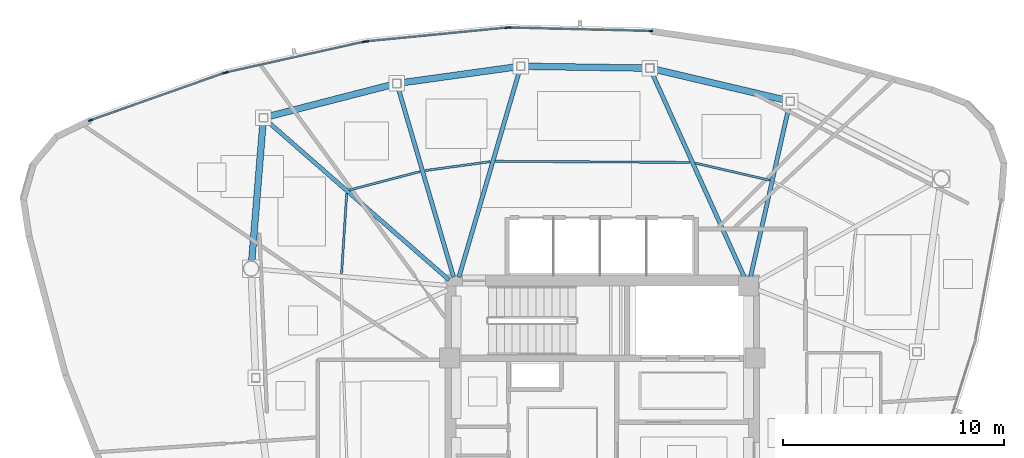
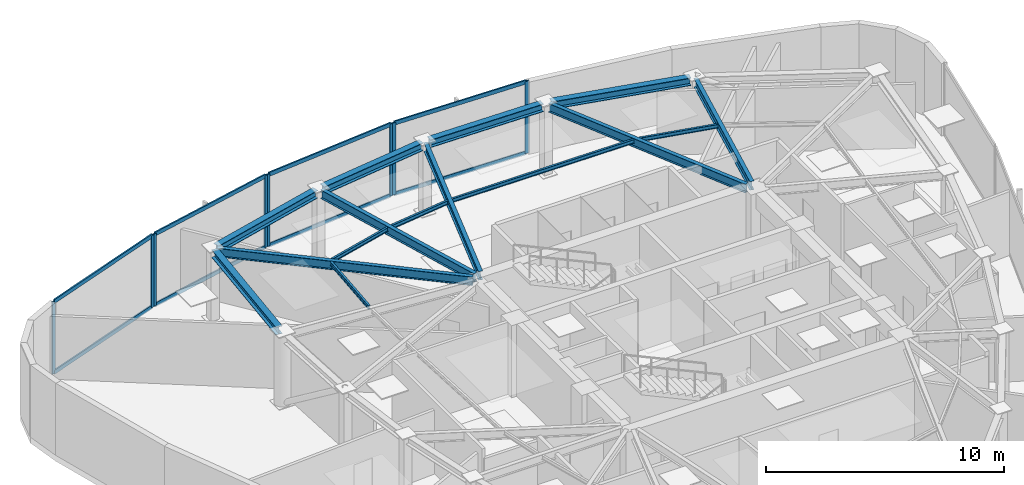
# One storey, part 5 of 13: 16 members, 15 beams, 4 elements without a shape of their own.
"""IFC4 building model written with IfcOpenShell, lengths in metres."""

from ifc_helpers import new_model, si_unit, direction, frame, origin, origin_2d, place, context, subcontext, project, spatial, hollow_rectangle, i_section, extrude, source, transform, mapped, material, layer, layer_set, material_profile, profile_set, type_object, type_shapes, element, aggregate, save


model = new_model("IFC4")

# Units and contexts
model_context = context("Model", 3, precision=1e-05, world=origin(), true_north=direction((0.0, 1.0)))
body_context = subcontext(model_context, "Body", "Model", "MODEL_VIEW")
ifc_project = project(units=[si_unit("LENGTHUNIT", "METRE"), si_unit("AREAUNIT", "SQUARE_METRE"), si_unit("VOLUMEUNIT", "CUBIC_METRE"), si_unit("PLANEANGLEUNIT", "RADIAN"), si_unit("MASSUNIT", "GRAM", prefix="KILO")], contexts=[model_context])

# Site, building, storey
site_placement = place(None, origin())
site = spatial("IfcSite", under=ifc_project, at=site_placement, CompositionType="ELEMENT")
building_placement = place(site_placement, origin())
building = spatial("IfcBuilding", under=site, at=building_placement, Name="Tavelor Broadcast Tower", CompositionType="ELEMENT")
storey_placement = place(building_placement, frame((0.0, 0.0, 305.5)))
storey = spatial("IfcBuildingStorey", under=building, at=storey_placement, Name="L73", CompositionType="ELEMENT", Elevation=305.5)

# Beams
ifc_material_1 = material(Name="Steel S355", Category="steel")
ifc_material_profile_1 = material_profile(ifc_material_1, i_section(OverallWidth=0.10009765625, OverallDepth=0.199951171875, WebThickness=0.005615234375, FlangeThickness=0.008544921875, at=origin_2d()), Name="IPE 200")
ifc_profile_set_1 = profile_set([ifc_material_profile_1], Name="Steel S355")
beam_type_1 = type_object("IfcBeamType", Name="Composite Floor Joist T8 IPE 200", PredefinedType="JOIST", material=ifc_profile_set_1)
beam_1_placement = place(storey_placement, frame((57.553466796875, 55.98828125, 3.60009765625), z_axis=(-0.974380456478, 0.224906038232, 0.0), x_axis=(-0.224906038232, -0.974380456478, 0.0)))
element("IfcBeam", 1, at=beam_1_placement, inside=storey, type_object=beam_type_1, Name="L73 Secondary Composite Floor Joist 14", PredefinedType="JOIST", context=body_context, shape_type="SweptSolid", body=[
    extrude(i_section(OverallWidth=0.10009765625, OverallDepth=0.199951171875, WebThickness=0.005615234375, FlangeThickness=0.008544921875, at=origin_2d()), origin(), (0.0, 0.0, 1.0), 3.44873046875),
])
beam_2_placement = place(storey_placement, frame((53.948486328125, 56.79248046875, 3.60009765625), z_axis=(-0.999983070215, 0.005818873004, 0.0), x_axis=(-0.005818873004, -0.999983070215, 0.0)))
element("IfcBeam", 2, at=beam_2_placement, inside=storey, type_object=beam_type_1, Name="L73 Secondary Composite Floor Joist 15", PredefinedType="JOIST", context=body_context, shape_type="SweptSolid", body=[
    extrude(i_section(OverallWidth=0.10009765625, OverallDepth=0.199951171875, WebThickness=0.005615234375, FlangeThickness=0.008544921875, at=origin_2d()), origin(), (0.0, 0.0, 1.0), 8.76904296875),
])
beam_3_placement = place(storey_placement, frame((44.933349609375, 56.827392578125, 3.60009765625), z_axis=(-0.990783480594, -0.135455138636, 0.0), x_axis=(0.135455138636, -0.990783480594, 0.0)))
element("IfcBeam", 3, at=beam_3_placement, inside=storey, type_object=beam_type_1, Name="L73 Secondary Composite Floor Joist 16", PredefinedType="JOIST", context=body_context, shape_type="SweptSolid", body=[
    extrude(i_section(OverallWidth=0.10009765625, OverallDepth=0.199951171875, WebThickness=0.005615234375, FlangeThickness=0.008544921875, at=origin_2d()), origin(), (0.0, 0.0, 1.0), 2.963134765625),
])
beam_4_placement = place(storey_placement, frame((41.755126953125, 56.3779296875, 3.60009765625), z_axis=(-0.967401296423, -0.253248359677, 0.0), x_axis=(0.253248359677, -0.967401296423, 0.0)))
element("IfcBeam", 4, at=beam_4_placement, inside=storey, type_object=beam_type_1, Name="L73 Secondary Composite Floor Joist 17", PredefinedType="JOIST", context=body_context, shape_type="SweptSolid", body=[
    extrude(i_section(OverallWidth=0.10009765625, OverallDepth=0.199951171875, WebThickness=0.005615234375, FlangeThickness=0.008544921875, at=origin_2d()), origin(), (0.0, 0.0, 1.0), 3.282470703125),
])
beam_5_placement = place(storey_placement, frame((38.451904296875, 55.391845703125, 3.60009765625), z_axis=(-0.063760012588, -0.997965260315, 0.0), x_axis=(0.997965260315, -0.063760012588, 0.0)))
element("IfcBeam", 5, at=beam_5_placement, inside=storey, type_object=beam_type_1, Name="L73 Secondary Composite Floor Joist 18", PredefinedType="JOIST", context=body_context, shape_type="SweptSolid", body=[
    extrude(i_section(OverallWidth=0.10009765625, OverallDepth=0.199951171875, WebThickness=0.005615234375, FlangeThickness=0.008544921875, at=origin_2d()), origin(), (0.0, 0.0, 1.0), 3.6298828125),
])
ifc_material_profile_2 = material_profile(ifc_material_1, i_section(OverallWidth=0.300048828125, OverallDepth=0.39990234375, WebThickness=0.013427734375, FlangeThickness=0.02392578125, at=origin_2d()), Name="HEB 400")
ifc_profile_set_2 = profile_set([ifc_material_profile_2], Name="Steel S355")
beam_type_2 = type_object("IfcBeamType", Name="Perimeter Spandrel Beam T8 HEB 400", PredefinedType="SPANDREL", material=ifc_profile_set_2)
beam_6_placement = place(storey_placement, frame((58.298583984375, 59.601318359375, 3.5), z_axis=(-0.973341352965, 0.229361310181, 0.0), x_axis=(-0.229361310181, -0.973341352965, 0.0)))
element("IfcBeam", 6, at=beam_6_placement, inside=storey, type_object=beam_type_2, Name="L73 Framed-Tube Ring Spandrel 14", PredefinedType="SPANDREL", context=body_context, shape_type="SweptSolid", body=[
    extrude(i_section(OverallWidth=0.300048828125, OverallDepth=0.39990234375, WebThickness=0.013427734375, FlangeThickness=0.02392578125, at=origin_2d()), origin(), (0.0, 0.0, 1.0), 6.1279296875),
])
beam_7_placement = place(storey_placement, frame((51.955078125, 61.0537109375, 3.5), z_axis=(-0.999889988423, 0.014832769514, 0.0), x_axis=(-0.014832769514, -0.999889988423, 0.0)))
element("IfcBeam", 7, at=beam_7_placement, inside=storey, type_object=beam_type_2, Name="L73 Framed-Tube Ring Spandrel 15", PredefinedType="SPANDREL", context=body_context, shape_type="SweptSolid", body=[
    extrude(i_section(OverallWidth=0.300048828125, OverallDepth=0.39990234375, WebThickness=0.013427734375, FlangeThickness=0.02392578125, at=origin_2d()), origin(), (0.0, 0.0, 1.0), 5.447998046875),
])
beam_8_placement = place(storey_placement, frame((46.125244140625, 61.11083984375, 3.5), z_axis=(-0.990516995132, -0.137390255677, 0.0), x_axis=(0.137390255677, -0.990516995132, 0.0)))
element("IfcBeam", 8, at=beam_8_placement, inside=storey, type_object=beam_type_2, Name="L73 Framed-Tube Ring Spandrel 16", PredefinedType="SPANDREL", context=body_context, shape_type="SweptSolid", body=[
    extrude(i_section(OverallWidth=0.300048828125, OverallDepth=0.39990234375, WebThickness=0.013427734375, FlangeThickness=0.02392578125, at=origin_2d()), origin(), (0.0, 0.0, 1.0), 5.26708984375),
])
beam_9_placement = place(storey_placement, frame((40.531982421875, 60.31298828125, 3.5), z_axis=(-0.96843501409, -0.249266169955, 0.0), x_axis=(0.249266169955, -0.96843501409, 0.0)))
element("IfcBeam", 9, at=beam_9_placement, inside=storey, type_object=beam_type_2, Name="L73 Framed-Tube Ring Spandrel 17", PredefinedType="SPANDREL", context=body_context, shape_type="SweptSolid", body=[
    extrude(i_section(OverallWidth=0.300048828125, OverallDepth=0.39990234375, WebThickness=0.013427734375, FlangeThickness=0.02392578125, at=origin_2d()), origin(), (0.0, 0.0, 1.0), 5.84130859375),
])
beam_10_placement = place(storey_placement, frame((34.673583984375, 58.61767578125, 3.5), z_axis=(-0.081080064874, -0.996707591563, 0.0), x_axis=(0.996707591563, -0.081080064874, 0.0)))
element("IfcBeam", 10, at=beam_10_placement, inside=storey, type_object=beam_type_2, Name="L73 Framed-Tube Ring Spandrel 18", PredefinedType="SPANDREL", context=body_context, shape_type="SweptSolid", body=[
    extrude(i_section(OverallWidth=0.300048828125, OverallDepth=0.39990234375, WebThickness=0.013427734375, FlangeThickness=0.02392578125, at=origin_2d()), origin(), (0.0, 0.0, 1.0), 6.30224609375),
])
ifc_material_profile_3 = material_profile(ifc_material_1, i_section(OverallWidth=0.18994140625, OverallDepth=0.449951171875, WebThickness=0.009521484375, FlangeThickness=0.0146484375, at=origin_2d()), Name="IPE 450")
ifc_profile_set_3 = profile_set([ifc_material_profile_3], Name="Steel S355")
beam_type_3 = type_object("IfcBeamType", Name="Radial Floor Girder T8 IPE 450", PredefinedType="BEAM", material=ifc_profile_set_3)
beam_11_placement = place(storey_placement, frame((56.695068359375, 51.621337890625, 3.47509765625), z_axis=(0.220095779936, 0.975478266111, 0.0), x_axis=(-0.975478266111, 0.220095779936, 0.0)))
element("IfcBeam", 11, at=beam_11_placement, inside=storey, type_object=beam_type_3, Name="L73 Radial Primary Floor Girder 14", PredefinedType="BEAM", context=body_context, shape_type="SweptSolid", body=[
    extrude(i_section(OverallWidth=0.18994140625, OverallDepth=0.449951171875, WebThickness=0.009521484375, FlangeThickness=0.0146484375, at=origin_2d()), origin(), (0.0, 0.0, 1.0), 7.943359375),
])
beam_12_placement = place(storey_placement, frame((56.422119140625, 51.59375, 3.47509765625), z_axis=(-0.411898788623, 0.911229602203, 0.0), x_axis=(-0.911229602203, -0.411898788623, 0.0)))
element("IfcBeam", 12, at=beam_12_placement, inside=storey, type_object=beam_type_3, Name="L73 Radial Primary Floor Girder 15", PredefinedType="BEAM", context=body_context, shape_type="SweptSolid", body=[
    extrude(i_section(OverallWidth=0.18994140625, OverallDepth=0.449951171875, WebThickness=0.009521484375, FlangeThickness=0.0146484375, at=origin_2d()), origin(), (0.0, 0.0, 1.0), 10.1865234375),
])
beam_13_placement = place(storey_placement, frame((43.521484375, 51.614501953125, 3.47509765625), z_axis=(0.281536086391, 0.959550640696, 0.0), x_axis=(-0.959550640696, 0.281536086391, 0.0)))
element("IfcBeam", 13, at=beam_13_placement, inside=storey, type_object=beam_type_3, Name="L73 Radial Primary Floor Girder 16", PredefinedType="BEAM", context=body_context, shape_type="SweptSolid", body=[
    extrude(i_section(OverallWidth=0.18994140625, OverallDepth=0.449951171875, WebThickness=0.009521484375, FlangeThickness=0.0146484375, at=origin_2d()), origin(), (0.0, 0.0, 1.0), 9.732177734375),
])
beam_14_placement = place(storey_placement, frame((43.278564453125, 51.614501953125, 3.47509765625), z_axis=(-0.280989740676, 0.959710771866, 0.0), x_axis=(-0.959710771866, -0.280989740676, 0.0)))
element("IfcBeam", 14, at=beam_14_placement, inside=storey, type_object=beam_type_3, Name="L73 Radial Primary Floor Girder 17", PredefinedType="BEAM", context=body_context, shape_type="SweptSolid", body=[
    extrude(i_section(OverallWidth=0.18994140625, OverallDepth=0.449951171875, WebThickness=0.009521484375, FlangeThickness=0.0146484375, at=origin_2d()), origin(), (0.0, 0.0, 1.0), 8.92138671875),
])
beam_15_placement = place(storey_placement, frame((43.07470703125, 51.484130859375, 3.47509765625), z_axis=(-0.753136193323, 0.657864632206, 0.0), x_axis=(-0.657864632206, -0.753136193323, 0.0)))
element("IfcBeam", 15, at=beam_15_placement, inside=storey, type_object=beam_type_3, Name="L73 Radial Primary Floor Girder 18", PredefinedType="BEAM", context=body_context, shape_type="SweptSolid", body=[
    extrude(i_section(OverallWidth=0.18994140625, OverallDepth=0.449951171875, WebThickness=0.009521484375, FlangeThickness=0.0146484375, at=origin_2d()), origin(), (0.0, 0.0, 1.0), 10.942138671875),
])

# Curtain wall, members
ifc_material_2 = material(Name="Architectural Anodized Aluminium", Category="aluminium")
ifc_layer = layer(ifc_material_2, 0.199951171875)
ifc_layer_set = layer_set([ifc_layer], Name="Architectural Anodized Aluminium")
curtain_wall_type = type_object("IfcCurtainWallType", Name="Tower High-Zone Triple-Glazed Curtain Wall CW04", PredefinedType="NOTDEFINED", material=ifc_layer_set)
curtain_wall_1_placement = place(storey_placement, origin())
curtain_wall_1 = element("IfcCurtainWall", 16, at=curtain_wall_1_placement, inside=storey, type_object=curtain_wall_type, Name="L73 Curtain Wall CW04 Run 813", PredefinedType="NOTDEFINED")
ifc_material_profile_4 = material_profile(ifc_material_2, hollow_rectangle(XDim=0.070068359375, YDim=0.199951171875, WallThickness=0.02197265625, at=origin_2d()), Name="RHS 70x200x22")
ifc_profile_set_4 = profile_set([ifc_material_profile_4], Name="Architectural Anodized Aluminium")
member_type_1 = type_object("IfcMemberType", Name="CW04 Extruded Aluminium Mullion 70x200", PredefinedType="MULLION", material=ifc_profile_set_4)
shared_shape_1 = source(origin(), body_context, "Body", "SweptSolid", [
    extrude(hollow_rectangle(XDim=0.070068359375, YDim=0.199951171875, WallThickness=0.02197265625, at=origin_2d()), origin(), (0.0, 0.0, 1.0), 3.699951171875),
])
type_shapes(member_type_1, [shared_shape_1])
member_1_placement = place(storey_placement, frame((52.1875, 62.72900390625, 0.0), z_axis=(0.0, 0.0, 1.0), x_axis=(-0.024005210348, -0.999711833418, 0.0)))
member_1 = element("IfcMember", 17, at=member_1_placement, type_object=member_type_1, Name="CW04 mullion 1", PredefinedType="MULLION", context=body_context, shape_type="MappedRepresentation", body=[
    mapped(shared_shape_1, transform((0.0, 0.0, 0.0), scale=1.0)),
])
member_2_placement = place(storey_placement, frame((45.794189453125, 62.882568359375, 0.0), z_axis=(0.0, 0.0, 1.0), x_axis=(-0.024005210348, -0.999711833418, 0.0)))
member_2 = element("IfcMember", 18, at=member_2_placement, type_object=member_type_1, Name="CW04 mullion 2", PredefinedType="MULLION", context=body_context, shape_type="MappedRepresentation", body=[
    mapped(shared_shape_1, transform((0.0, 0.0, 0.0), scale=1.0)),
])

curtain_wall_2_placement = place(storey_placement, origin())
curtain_wall_2 = element("IfcCurtainWall", 19, at=curtain_wall_2_placement, inside=storey, type_object=curtain_wall_type, Name="L73 Curtain Wall CW04 Run 814", PredefinedType="NOTDEFINED")
member_3_placement = place(storey_placement, frame((45.694580078125, 62.87890625, 0.0), z_axis=(0.0, 0.0, 1.0), x_axis=(0.097158020856, -0.995268968161, 0.0)))
member_3 = element("IfcMember", 20, at=member_3_placement, type_object=member_type_1, Name="CW04 mullion 1", PredefinedType="MULLION", context=body_context, shape_type="MappedRepresentation", body=[
    mapped(shared_shape_1, transform((0.0, 0.0, 0.0), scale=1.0)),
])
member_4_placement = place(storey_placement, frame((39.34423828125, 62.2587890625, 0.0), z_axis=(0.0, 0.0, 1.0), x_axis=(0.097158020856, -0.995268968161, 0.0)))
member_4 = element("IfcMember", 21, at=member_4_placement, type_object=member_type_1, Name="CW04 mullion 2", PredefinedType="MULLION", context=body_context, shape_type="MappedRepresentation", body=[
    mapped(shared_shape_1, transform((0.0, 0.0, 0.0), scale=1.0)),
])

curtain_wall_3_placement = place(storey_placement, origin())
curtain_wall_3 = element("IfcCurtainWall", 22, at=curtain_wall_3_placement, inside=storey, type_object=curtain_wall_type, Name="L73 Curtain Wall CW04 Run 815", PredefinedType="NOTDEFINED")
member_5_placement = place(storey_placement, frame((39.245849609375, 62.2431640625, 0.0), z_axis=(0.0, 0.0, 1.0), x_axis=(0.216876286968, -0.976199096574, 0.0)))
member_5 = element("IfcMember", 23, at=member_5_placement, type_object=member_type_1, Name="CW04 mullion 1", PredefinedType="MULLION", context=body_context, shape_type="MappedRepresentation", body=[
    mapped(shared_shape_1, transform((0.0, 0.0, 0.0), scale=1.0)),
])
member_6_placement = place(storey_placement, frame((33.017333984375, 60.859375, 0.0), z_axis=(0.0, 0.0, 1.0), x_axis=(0.216876286968, -0.976199096574, 0.0)))
member_6 = element("IfcMember", 24, at=member_6_placement, type_object=member_type_1, Name="CW04 mullion 2", PredefinedType="MULLION", context=body_context, shape_type="MappedRepresentation", body=[
    mapped(shared_shape_1, transform((0.0, 0.0, 0.0), scale=1.0)),
])

curtain_wall_4_placement = place(storey_placement, origin())
curtain_wall_4 = element("IfcCurtainWall", 25, at=curtain_wall_4_placement, inside=storey, type_object=curtain_wall_type, Name="L73 Curtain Wall CW04 Run 816", PredefinedType="NOTDEFINED")
member_7_placement = place(storey_placement, frame((32.92138671875, 60.83203125, 0.0), z_axis=(0.0, 0.0, 1.0), x_axis=(0.333425134706, -0.942776579867, 0.0)))
member_7 = element("IfcMember", 26, at=member_7_placement, type_object=member_type_1, Name="CW04 mullion 1", PredefinedType="MULLION", context=body_context, shape_type="MappedRepresentation", body=[
    mapped(shared_shape_1, transform((0.0, 0.0, 0.0), scale=1.0)),
])
member_8_placement = place(storey_placement, frame((26.89111328125, 58.699462890625, 0.0), z_axis=(0.0, 0.0, 1.0), x_axis=(0.333425134706, -0.942776579867, 0.0)))
member_8 = element("IfcMember", 27, at=member_8_placement, type_object=member_type_1, Name="CW04 mullion 2", PredefinedType="MULLION", context=body_context, shape_type="MappedRepresentation", body=[
    mapped(shared_shape_1, transform((0.0, 0.0, 0.0), scale=1.0)),
])

# Member
ifc_material_profile_5 = material_profile(ifc_material_2, hollow_rectangle(XDim=0.070068359375, YDim=0.199951171875, WallThickness=0.02197265625, at=origin_2d()), Name="RHS 70x200x22")
ifc_profile_set_5 = profile_set([ifc_material_profile_5], Name="Architectural Anodized Aluminium")
member_type_2 = type_object("IfcMemberType", Name="CW04 Extruded Aluminium Transom 70x200", PredefinedType="USERDEFINED", material=ifc_profile_set_5)
shared_shape_2 = source(origin(), body_context, "Body", "SweptSolid", [
    extrude(hollow_rectangle(XDim=0.070068359375, YDim=0.199951171875, WallThickness=0.02197265625, at=origin_2d()), origin(), (0.0, 0.0, 1.0), 6.3251953125),
])
member_9_placement = place(storey_placement, frame((52.152587890625, 62.729736328125, 0.034912109375), z_axis=(-0.999711776148, 0.024007595257, 0.0), x_axis=(-0.024007595257, -0.999711776148, 0.0)))
member_9 = element("IfcMember", 28, at=member_9_placement, type_object=member_type_2, Name="CW04 transom 1.1", ObjectType="TRANSOM", PredefinedType="USERDEFINED", context=body_context, shape_type="MappedRepresentation", body=[
    mapped(shared_shape_2, transform((0.0, 0.0, 0.0), scale=1.0)),
])

member_10_placement = place(storey_placement, frame((52.152587890625, 62.729736328125, 3.6650390625), z_axis=(-0.999711776148, 0.024007595257, 0.0), x_axis=(-0.024007595257, -0.999711776148, 0.0)))
member_10 = element("IfcMember", 29, at=member_10_placement, type_object=member_type_2, Name="CW04 transom 1.2", ObjectType="TRANSOM", PredefinedType="USERDEFINED", context=body_context, shape_type="MappedRepresentation", body=[
    mapped(shared_shape_2, transform((0.0, 0.0, 0.0), scale=1.0)),
])

aggregate(curtain_wall_1, [member_1, member_2, member_9, member_10])

shared_shape_3 = source(origin(), body_context, "Body", "SweptSolid", [
    extrude(hollow_rectangle(XDim=0.070068359375, YDim=0.199951171875, WallThickness=0.02197265625, at=origin_2d()), origin(), (0.0, 0.0, 1.0), 6.310302734375),
])
member_11_placement = place(storey_placement, frame((45.65966796875, 62.87548828125, 0.034912109375), z_axis=(-0.995266240444, -0.097185959028, 0.0), x_axis=(0.097185959028, -0.995266240444, 0.0)))
member_11 = element("IfcMember", 30, at=member_11_placement, type_object=member_type_2, Name="CW04 transom 1.1", ObjectType="TRANSOM", PredefinedType="USERDEFINED", context=body_context, shape_type="MappedRepresentation", body=[
    mapped(shared_shape_3, transform((0.0, 0.0, 0.0), scale=1.0)),
])

member_12_placement = place(storey_placement, frame((45.65966796875, 62.87548828125, 3.6650390625), z_axis=(-0.995266240444, -0.097185959028, 0.0), x_axis=(0.097185959028, -0.995266240444, 0.0)))
member_12 = element("IfcMember", 31, at=member_12_placement, type_object=member_type_2, Name="CW04 transom 1.2", ObjectType="TRANSOM", PredefinedType="USERDEFINED", context=body_context, shape_type="MappedRepresentation", body=[
    mapped(shared_shape_3, transform((0.0, 0.0, 0.0), scale=1.0)),
])

aggregate(curtain_wall_2, [member_3, member_4, member_11, member_12])

member_13_placement = place(storey_placement, frame((39.211669921875, 62.235595703125, 0.034912109375), z_axis=(-0.976204353402, -0.216852623685, 0.0), x_axis=(0.216852623685, -0.976204353402, 0.0)))
member_13 = element("IfcMember", 32, at=member_13_placement, type_object=member_type_2, Name="CW04 transom 1.1", ObjectType="TRANSOM", PredefinedType="USERDEFINED", context=body_context, shape_type="MappedRepresentation", body=[
    mapped(shared_shape_3, transform((0.0, 0.0, 0.0), scale=1.0)),
])

member_14_placement = place(storey_placement, frame((39.211669921875, 62.235595703125, 3.6650390625), z_axis=(-0.976204353402, -0.216852623685, 0.0), x_axis=(0.216852623685, -0.976204353402, 0.0)))
member_14 = element("IfcMember", 33, at=member_14_placement, type_object=member_type_2, Name="CW04 transom 1.2", ObjectType="TRANSOM", PredefinedType="USERDEFINED", context=body_context, shape_type="MappedRepresentation", body=[
    mapped(shared_shape_3, transform((0.0, 0.0, 0.0), scale=1.0)),
])

aggregate(curtain_wall_3, [member_5, member_6, member_13, member_14])

shared_shape_4 = source(origin(), body_context, "Body", "SweptSolid", [
    extrude(hollow_rectangle(XDim=0.070068359375, YDim=0.199951171875, WallThickness=0.02197265625, at=origin_2d()), origin(), (0.0, 0.0, 1.0), 6.326171875),
])
type_shapes(member_type_2, [shared_shape_2, shared_shape_3, shared_shape_4])
member_15_placement = place(storey_placement, frame((32.888427734375, 60.8203125, 0.034912109375), z_axis=(-0.942772114265, -0.333437761155, 0.0), x_axis=(0.333437761155, -0.942772114265, 0.0)))
member_15 = element("IfcMember", 34, at=member_15_placement, type_object=member_type_2, Name="CW04 transom 1.1", ObjectType="TRANSOM", PredefinedType="USERDEFINED", context=body_context, shape_type="MappedRepresentation", body=[
    mapped(shared_shape_4, transform((0.0, 0.0, 0.0), scale=1.0)),
])

member_16_placement = place(storey_placement, frame((32.888427734375, 60.8203125, 3.6650390625), z_axis=(-0.942772114265, -0.333437761155, 0.0), x_axis=(0.333437761155, -0.942772114265, 0.0)))
member_16 = element("IfcMember", 35, at=member_16_placement, type_object=member_type_2, Name="CW04 transom 1.2", ObjectType="TRANSOM", PredefinedType="USERDEFINED", context=body_context, shape_type="MappedRepresentation", body=[
    mapped(shared_shape_4, transform((0.0, 0.0, 0.0), scale=1.0)),
])

aggregate(curtain_wall_4, [member_7, member_8, member_15, member_16])

save(model, "model.ifc")
